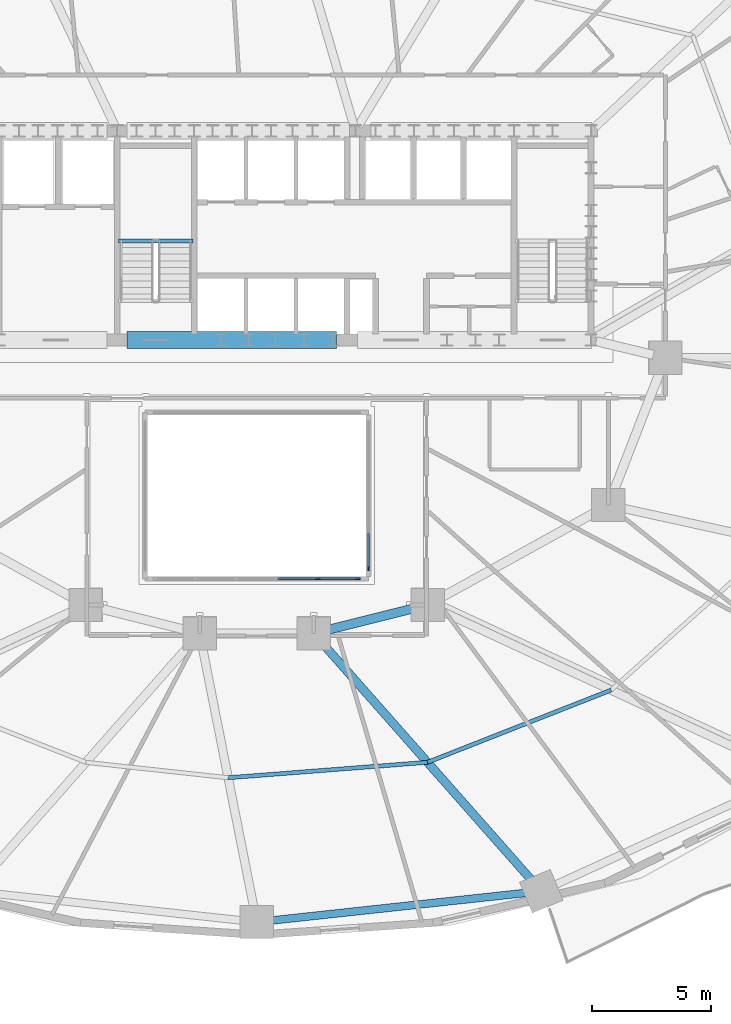
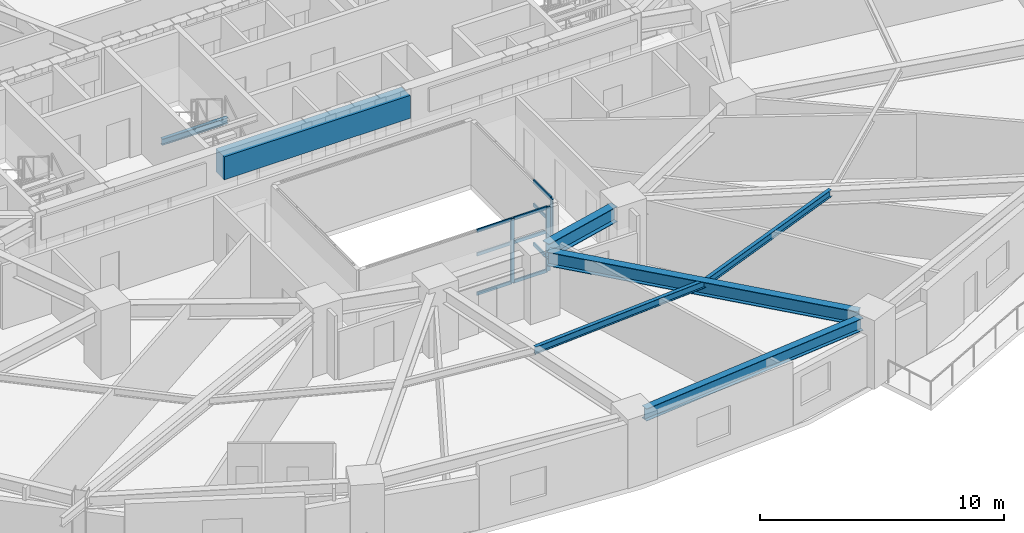
# One storey, part 5 of 17: 12 members, 7 beams, 2 elements without a shape of their own.
"""IFC4 building model written with IfcOpenShell, lengths in metres."""

import ifcopenshell
import ifcopenshell.guid

model = None  # the IFC model being written
_history = None  # IfcOwnerHistory: only IFC2X3 demands one
_inside = {}  # id of a spatial element -> (the spatial element, [elements in it])
_under = {}  # id of a project, library or spatial element -> (it, [spatial elements below it])
_declared = {}  # id of a project -> (the project, [libraries it declares])
_typed = {}  # id of a type object -> (the type object, [elements of that type])
_made_of = {}  # id of a material, layer set ... -> (it, [elements and type objects made of it])


def new_model(schema):
    """Start an empty IFC model of exactly this schema.

    Asked for "IFC4X3", IfcOpenShell would pick the latest addendum, in which some entities
    have other attributes; the version numbers below select the first issue.
    IFC2X3 requires an IfcOwnerHistory on every rooted entity: one is made here for all.
    """
    global model, _history
    if schema == "IFC4X3":
        model = ifcopenshell.file(schema_version=(4, 3, 0, 0))
    else:
        model = ifcopenshell.file(schema=schema)
    _inside.clear()
    _under.clear()
    _declared.clear()
    _typed.clear()
    _made_of.clear()
    _history = None
    if model.schema == "IFC2X3":
        org = make("IfcOrganization", Name="unknown")
        user = make(
            "IfcPersonAndOrganization",
            ThePerson=make("IfcPerson", FamilyName="unknown"),
            TheOrganization=org,
        )
        app = make(
            "IfcApplication",
            ApplicationDeveloper=org,
            Version="unknown",
            ApplicationFullName="unknown",
            ApplicationIdentifier="unknown",
        )
        _history = make(
            "IfcOwnerHistory",
            OwningUser=user,
            OwningApplication=app,
            ChangeAction="ADDED",
            CreationDate=0,
        )
    return model


def make(cls, **values):
    """One entity of the class cls with the attributes given. An attribute that is None is left unset."""
    return model.create_entity(
        cls, **{name: value for name, value in values.items() if value is not None}
    )


def rooted(cls, **values):
    """An entity with a GlobalId (a new one), such as an element, a storey or a relation."""
    return make(cls, GlobalId=ifcopenshell.guid.new(), OwnerHistory=_history, **values)


def si_unit(unit_type, name, prefix=None):
    """IfcSIUnit, for example si_unit("LENGTHUNIT", "METRE", prefix="MILLI")."""
    return make("IfcSIUnit", UnitType=unit_type, Prefix=prefix, Name=name)


def assignment(units):
    """IfcUnitAssignment: the units of a project."""
    return None if units is None else make("IfcUnitAssignment", Units=units)


def point(xyz):
    """IfcCartesianPoint."""
    return None if xyz is None else make("IfcCartesianPoint", Coordinates=xyz)


def direction(xyz):
    """IfcDirection."""
    return None if xyz is None else make("IfcDirection", DirectionRatios=xyz)


def frame(location, z_axis=None, x_axis=None):
    """IfcAxis2Placement3D, a coordinate frame: its origin and axes. An axis left out is left unset."""
    return make(
        "IfcAxis2Placement3D",
        Location=point(location),
        Axis=direction(z_axis),
        RefDirection=direction(x_axis),
    )


def frame_2d(location, x_axis=None):
    """IfcAxis2Placement2D, a coordinate frame in the plane: its origin and x axis."""
    return make(
        "IfcAxis2Placement2D", Location=point(location), RefDirection=direction(x_axis)
    )


def origin():
    """The frame at (0, 0, 0) with its axes left unset."""
    return frame((0.0, 0.0, 0.0))


def origin_2d():
    """The frame at (0, 0) in the plane with its x axis left unset."""
    return frame_2d((0.0, 0.0))


def place(relative_to, where):
    """IfcLocalPlacement: puts the frame where relative to a parent placement (None: the world)."""
    return make(
        "IfcLocalPlacement", PlacementRelTo=relative_to, RelativePlacement=where
    )


def context(
    kind, dimensions, precision=None, world=None, true_north=None, identifier=None
):
    """IfcGeometricRepresentationContext, for example the 3D "Model" context."""
    return make(
        "IfcGeometricRepresentationContext",
        ContextIdentifier=identifier,
        ContextType=kind,
        CoordinateSpaceDimension=dimensions,
        Precision=precision,
        WorldCoordinateSystem=world,
        TrueNorth=true_north,
    )


def subcontext(parent, identifier, kind, view, scale=None):
    """IfcGeometricRepresentationSubContext, for example "Body" below "Model"."""
    return make(
        "IfcGeometricRepresentationSubContext",
        ContextIdentifier=identifier,
        ContextType=kind,
        ParentContext=parent,
        TargetScale=scale,
        TargetView=view,
    )


def project(units=None, contexts=None):
    """IfcProject with its units and contexts."""
    return rooted(
        "IfcProject",
        Name="project",
        RepresentationContexts=contexts,
        UnitsInContext=assignment(units),
    )


def spatial(cls, under=None, at=None, **own):
    """A site, building, storey or space (cls), placed at a placement, below another one or the project."""
    s = rooted(cls, ObjectPlacement=at, **own)
    if under is not None:
        _under.setdefault(under.id(), (under, []))[1].append(s)
    return s


def profile(cls, at=None, kind="AREA", **sizes):
    """A parametric profile (cls). Its sizes go by their IFC names, for example OverallWidth=200.0."""
    return make(cls, ProfileType=kind, Position=at, **sizes)


def rectangle(**sizes):
    """IfcRectangleProfileDef."""
    return profile("IfcRectangleProfileDef", **sizes)


def i_section(**sizes):
    """IfcIShapeProfileDef."""
    return profile("IfcIShapeProfileDef", **sizes)


def extrude(swept, where, along, depth):
    """IfcExtrudedAreaSolid: the profile swept, set in the frame where, extruded along a direction by depth."""
    return make(
        "IfcExtrudedAreaSolid",
        SweptArea=swept,
        Position=where,
        ExtrudedDirection=direction(along),
        Depth=depth,
    )


def shape(context_of_items, identifier, shape_type, items):
    """IfcShapeRepresentation: the items that make up one representation, for example the "Body"."""
    return make(
        "IfcShapeRepresentation",
        ContextOfItems=context_of_items,
        RepresentationIdentifier=identifier,
        RepresentationType=shape_type,
        Items=items,
    )


def material(Name=None, Category=None):
    """IfcMaterial."""
    return make("IfcMaterial", Name=Name, Category=Category)


def material_profile(
    of_material, cross_section, Name=None, Category=None, Priority=None
):
    """IfcMaterialProfile: a cross section and its material."""
    return make(
        "IfcMaterialProfile",
        Name=Name,
        Material=of_material,
        Profile=cross_section,
        Priority=Priority,
        Category=Category,
    )


def profile_set(profiles, Name=None, composite=None):
    """IfcMaterialProfileSet."""
    return make(
        "IfcMaterialProfileSet",
        Name=Name,
        MaterialProfiles=profiles,
        CompositeProfile=composite,
    )


def made_of(thing, what):
    """Note that an element or type object is made of a material, layer set ...; save() writes the relation."""
    if what is not None:
        _made_of.setdefault(what.id(), (what, []))[1].append(thing)
    return thing


def type_object(cls, material=None, **own):
    """A type object (cls), such as IfcWallType, which elements share."""
    return made_of(rooted(cls, **own), material)


def element(
    cls,
    number,
    at=None,
    inside=None,
    cuts=None,
    type_object=None,
    material=None,
    context=None,
    identifier="Body",
    shape_type=None,
    held_by="IfcProductDefinitionShape",
    body=None,
    shapes=None,
    **own,
):
    """One element of the class cls, such as IfcWall. Its Tag is "e" and its number.

    at: its placement. inside: the storey or other place that contains it. cuts: it is an
    opening in that element (IfcRelVoidsElement). A single representation is given by context,
    identifier, shape_type and body (its items); several are given by shapes. held_by: the class
    of the entity that holds the representations. save() writes the other relations.
    """
    e = rooted(cls, Tag="e%d" % number, ObjectPlacement=at, **own)
    if body is not None:
        shapes = [shape(context, identifier, shape_type, body)]
    if shapes is not None:
        e.Representation = make(held_by, Representations=shapes)
    if inside is not None:
        _inside.setdefault(inside.id(), (inside, []))[1].append(e)
    if cuts is not None:
        rooted(
            "IfcRelVoidsElement", RelatingBuildingElement=cuts, RelatedOpeningElement=e
        )
    if type_object is not None:
        _typed.setdefault(type_object.id(), (type_object, []))[1].append(e)
    return made_of(e, material)


def aggregate(whole, parts):
    """IfcRelAggregates: a whole, such as a stair, and the parts it consists of."""
    return rooted("IfcRelAggregates", RelatingObject=whole, RelatedObjects=parts)


def save(model, path):
    """Write the relations noted so far, then the file.

    IfcRelAggregates (storeys below a building ...), IfcRelContainedInSpatialStructure (elements
    in a storey), IfcRelDefinesByType, IfcRelAssociatesMaterial and IfcRelDeclares: one each for
    every whole, place, type object, material and project.
    """
    for whole, parts in _under.values():
        aggregate(whole, parts)
    for where, things in _inside.values():
        rooted(
            "IfcRelContainedInSpatialStructure",
            RelatedElements=things,
            RelatingStructure=where,
        )
    for kind, things in _typed.values():
        rooted("IfcRelDefinesByType", RelatedObjects=things, RelatingType=kind)
    for what, things in _made_of.values():
        rooted("IfcRelAssociatesMaterial", RelatedObjects=things, RelatingMaterial=what)
    for by, libraries in _declared.values():
        rooted("IfcRelDeclares", RelatingContext=by, RelatedDefinitions=libraries)
    model.write(path)


model = new_model("IFC4")

# Units and contexts
model_context = context("Model", 3, precision=1e-05, world=origin(), true_north=direction((0.0, 1.0)))
body_context = subcontext(model_context, "Body", "Model", "MODEL_VIEW")
ifc_project = project(units=[si_unit("LENGTHUNIT", "METRE"), si_unit("AREAUNIT", "SQUARE_METRE"), si_unit("VOLUMEUNIT", "CUBIC_METRE"), si_unit("PLANEANGLEUNIT", "RADIAN"), si_unit("MASSUNIT", "GRAM", prefix="KILO")], contexts=[model_context])

# Site, building, storey
site_placement = place(None, origin())
site = spatial("IfcSite", under=ifc_project, at=site_placement, CompositionType="ELEMENT")
building_placement = place(site_placement, origin())
building = spatial("IfcBuilding", under=site, at=building_placement, Name="Haldorwick Loom Tower", CompositionType="ELEMENT")
storey_placement = place(building_placement, frame((0.0, 0.0, 61.949951171875)))
storey = spatial("IfcBuildingStorey", under=building, at=storey_placement, Name="L16", CompositionType="ELEMENT", Elevation=61.949951171875)

# Curtain wall, members
ifc_material_1 = material(Name="Thermally Broken Anodized Aluminium Curtain Wall Framing", Category="aluminium")
curtain_wall_type = type_object("IfcCurtainWallType", Name="ARC-CW-03", PredefinedType="NOTDEFINED", material=ifc_material_1)
curtain_wall_1_placement = place(storey_placement, origin())
curtain_wall_1 = element("IfcCurtainWall", 1, at=curtain_wall_1_placement, inside=storey, type_object=curtain_wall_type, Name="L16 Atrium Glazed Screen S", PredefinedType="NOTDEFINED")
ifc_material_profile_1 = material_profile(ifc_material_1, rectangle(XDim=0.06591796875, YDim=0.18505859375, at=origin_2d()), Name="ALU_MUL_66X185", Category="aluminium")
ifc_profile_set_1 = profile_set([ifc_material_profile_1], Name="Thermally Broken Anodized Aluminium Curtain Wall Framing")
member_type_1 = type_object("IfcMemberType", Name="ARC-CWM-03", PredefinedType="MULLION", material=ifc_profile_set_1)
member_1_placement = place(storey_placement, frame((40.26708984375, 16.699951171875, 0.0), z_axis=(0.0, 0.0, 1.0), x_axis=(0.0, -1.0, 0.0)))
member_1 = element("IfcMember", 2, at=member_1_placement, type_object=member_type_1, Name="CW-03 mullion 1", PredefinedType="MULLION", context=body_context, shape_type="SweptSolid", body=[
    extrude(rectangle(XDim=0.06591796875, YDim=0.18505859375, at=origin_2d()), origin(), (0.0, 0.0, 1.0), 3.2099609375),
])
member_2_placement = place(storey_placement, frame((38.580078125, 16.699951171875, 0.0), z_axis=(0.0, 0.0, 1.0), x_axis=(0.0, -1.0, 0.0)))
member_2 = element("IfcMember", 3, at=member_2_placement, type_object=member_type_1, Name="CW-03 mullion 2", PredefinedType="MULLION", context=body_context, shape_type="SweptSolid", body=[
    extrude(rectangle(XDim=0.06591796875, YDim=0.18505859375, at=origin_2d()), origin(), (0.0, 0.0, 1.0), 3.2099609375),
])

# Curtain wall, member
curtain_wall_2_placement = place(storey_placement, origin())
curtain_wall_2 = element("IfcCurtainWall", 4, at=curtain_wall_2_placement, inside=storey, type_object=curtain_wall_type, Name="L16 Atrium Glazed Screen E", PredefinedType="NOTDEFINED")
member_3_placement = place(storey_placement, frame((40.699951171875, 17.133056640625, 0.0), z_axis=(0.0, 0.0, 1.0), x_axis=(1.0, 0.0, 0.0)))
member_3 = element("IfcMember", 5, at=member_3_placement, type_object=member_type_1, Name="CW-03 mullion 5", PredefinedType="MULLION", context=body_context, shape_type="SweptSolid", body=[
    extrude(rectangle(XDim=0.06591796875, YDim=0.18505859375, at=origin_2d()), origin(), (0.0, 0.0, 1.0), 3.2099609375),
])

# Member
ifc_material_profile_2 = material_profile(ifc_material_1, rectangle(XDim=0.06591796875, YDim=0.1650390625, at=origin_2d()), Name="ALU_TRN_66X165", Category="aluminium")
ifc_profile_set_2 = profile_set([ifc_material_profile_2], Name="Thermally Broken Anodized Aluminium Curtain Wall Framing")
member_type_2 = type_object("IfcMemberType", Name="ARC-CWT-03", PredefinedType="USERDEFINED", material=ifc_profile_set_2)
member_4_placement = place(storey_placement, frame((40.23388671875, 16.699951171875, 0.032958984375), z_axis=(-1.0, 0.0, 0.0), x_axis=(0.0, -1.0, 0.0)))
member_4 = element("IfcMember", 6, at=member_4_placement, type_object=member_type_2, Name="CW-03 transom 1.1", ObjectType="TRANSOM", PredefinedType="USERDEFINED", context=body_context, shape_type="SweptSolid", body=[
    extrude(rectangle(XDim=0.06591796875, YDim=0.1650390625, at=origin_2d()), origin(), (0.0, 0.0, 1.0), 1.620849609375),
])

member_5_placement = place(storey_placement, frame((40.23388671875, 16.699951171875, 2.0), z_axis=(-1.0, 0.0, 0.0), x_axis=(0.0, -1.0, 0.0)))
member_5 = element("IfcMember", 7, at=member_5_placement, type_object=member_type_2, Name="CW-03 transom 1.2", ObjectType="TRANSOM", PredefinedType="USERDEFINED", context=body_context, shape_type="SweptSolid", body=[
    extrude(rectangle(XDim=0.06591796875, YDim=0.1650390625, at=origin_2d()), origin(), (0.0, 0.0, 1.0), 1.620849609375),
])

member_6_placement = place(storey_placement, frame((40.23388671875, 16.699951171875, 3.177001953125), z_axis=(-1.0, 0.0, 0.0), x_axis=(0.0, -1.0, 0.0)))
member_6 = element("IfcMember", 8, at=member_6_placement, type_object=member_type_2, Name="CW-03 transom 1.3", ObjectType="TRANSOM", PredefinedType="USERDEFINED", context=body_context, shape_type="SweptSolid", body=[
    extrude(rectangle(XDim=0.06591796875, YDim=0.1650390625, at=origin_2d()), origin(), (0.0, 0.0, 1.0), 1.620849609375),
])

member_7_placement = place(storey_placement, frame((38.547119140625, 16.699951171875, 0.032958984375), z_axis=(-1.0, 0.0, 0.0), x_axis=(0.0, -1.0, 0.0)))
member_7 = element("IfcMember", 9, at=member_7_placement, type_object=member_type_2, Name="CW-03 transom 2.1", ObjectType="TRANSOM", PredefinedType="USERDEFINED", context=body_context, shape_type="SweptSolid", body=[
    extrude(rectangle(XDim=0.06591796875, YDim=0.1650390625, at=origin_2d()), origin(), (0.0, 0.0, 1.0), 1.654052734375),
])

member_8_placement = place(storey_placement, frame((38.547119140625, 16.699951171875, 2.0), z_axis=(-1.0, 0.0, 0.0), x_axis=(0.0, -1.0, 0.0)))
member_8 = element("IfcMember", 10, at=member_8_placement, type_object=member_type_2, Name="CW-03 transom 2.2", ObjectType="TRANSOM", PredefinedType="USERDEFINED", context=body_context, shape_type="SweptSolid", body=[
    extrude(rectangle(XDim=0.06591796875, YDim=0.1650390625, at=origin_2d()), origin(), (0.0, 0.0, 1.0), 1.654052734375),
])

member_9_placement = place(storey_placement, frame((38.547119140625, 16.699951171875, 3.177001953125), z_axis=(-1.0, 0.0, 0.0), x_axis=(0.0, -1.0, 0.0)))
member_9 = element("IfcMember", 11, at=member_9_placement, type_object=member_type_2, Name="CW-03 transom 2.3", ObjectType="TRANSOM", PredefinedType="USERDEFINED", context=body_context, shape_type="SweptSolid", body=[
    extrude(rectangle(XDim=0.06591796875, YDim=0.1650390625, at=origin_2d()), origin(), (0.0, 0.0, 1.0), 1.654052734375),
])

aggregate(curtain_wall_1, [member_1, member_2, member_4, member_5, member_6, member_7, member_8, member_9])

member_10_placement = place(storey_placement, frame((40.699951171875, 18.616943359375, 0.032958984375), z_axis=(0.0, -1.0, 0.0), x_axis=(1.0, 0.0, 0.0)))
member_10 = element("IfcMember", 12, at=member_10_placement, type_object=member_type_2, Name="CW-03 transom 4.1", ObjectType="TRANSOM", PredefinedType="USERDEFINED", context=body_context, shape_type="SweptSolid", body=[
    extrude(rectangle(XDim=0.06591796875, YDim=0.1650390625, at=origin_2d()), origin(), (0.0, 0.0, 1.0), 1.450927734375),
])

member_11_placement = place(storey_placement, frame((40.699951171875, 18.616943359375, 2.0), z_axis=(0.0, -1.0, 0.0), x_axis=(1.0, 0.0, 0.0)))
member_11 = element("IfcMember", 13, at=member_11_placement, type_object=member_type_2, Name="CW-03 transom 4.2", ObjectType="TRANSOM", PredefinedType="USERDEFINED", context=body_context, shape_type="SweptSolid", body=[
    extrude(rectangle(XDim=0.06591796875, YDim=0.1650390625, at=origin_2d()), origin(), (0.0, 0.0, 1.0), 1.450927734375),
])

member_12_placement = place(storey_placement, frame((40.699951171875, 18.616943359375, 3.177001953125), z_axis=(0.0, -1.0, 0.0), x_axis=(1.0, 0.0, 0.0)))
member_12 = element("IfcMember", 14, at=member_12_placement, type_object=member_type_2, Name="CW-03 transom 4.3", ObjectType="TRANSOM", PredefinedType="USERDEFINED", context=body_context, shape_type="SweptSolid", body=[
    extrude(rectangle(XDim=0.06591796875, YDim=0.1650390625, at=origin_2d()), origin(), (0.0, 0.0, 1.0), 1.450927734375),
])

aggregate(curtain_wall_2, [member_3, member_10, member_11, member_12])

# Beams
ifc_material_2 = material(Name="Concrete C60 (60 MPa)", Category="concrete")
ifc_material_profile_3 = material_profile(ifc_material_2, rectangle(XDim=0.699951171875, YDim=1.14990234375, at=origin_2d()), Name="RC700X1150", Category="concrete")
ifc_profile_set_3 = profile_set([ifc_material_profile_3], Name="Concrete C60 (60 MPa)")
beam_type_1 = type_object("IfcBeamType", Name="STR-BM-CB1150", PredefinedType="LINTEL", material=ifc_profile_set_3)
beam_1_placement = place(storey_placement, frame((30.550048828125, 26.75, 2.635009765625), z_axis=(1.0, 0.0, 0.0), x_axis=(0.0, 1.0, 0.0)))
element("IfcBeam", 15, at=beam_1_placement, inside=storey, type_object=beam_type_1, Name="L16 Core Coupling Beam CB-S2", PredefinedType="LINTEL", context=body_context, shape_type="SweptSolid", body=[
    extrude(rectangle(XDim=0.699951171875, YDim=1.14990234375, at=origin_2d()), origin(), (0.0, 0.0, 1.0), 8.800048828125),
])
ifc_material_3 = material(Name="Steel CSA G40.21 350W", Category="steel")
ifc_material_profile_4 = material_profile(ifc_material_3, i_section(OverallWidth=0.172119140625, OverallDepth=0.35791015625, WebThickness=0.0078125, FlangeThickness=0.01318359375, at=origin_2d()), Name="W360X57", Category="steel")
ifc_profile_set_4 = profile_set([ifc_material_profile_4], Name="Steel CSA G40.21 350W")
beam_type_2 = type_object("IfcBeamType", Name="STR-BM-J360", PredefinedType="JOIST", material=ifc_profile_set_4)
beam_2_placement = place(storey_placement, frame((34.800048828125, 8.324951171875, 3.031005859375), z_axis=(0.99701252039, 0.077240107368, 0.0), x_axis=(-0.077240107368, 0.99701252039, 0.0)))
element("IfcBeam", 16, at=beam_2_placement, inside=storey, type_object=beam_type_2, Name="L16 Mid-Bay Secondary Joist 13", PredefinedType="JOIST", context=body_context, shape_type="SweptSolid", body=[
    extrude(i_section(OverallWidth=0.172119140625, OverallDepth=0.35791015625, WebThickness=0.0078125, FlangeThickness=0.01318359375, at=origin_2d()), origin(), (0.0, 0.0, 1.0), 8.4140625),
])
beam_3_placement = place(storey_placement, frame((43.18896484375, 8.974853515625, 3.031005859375), z_axis=(0.930584838237, 0.366076301941, 0.0), x_axis=(-0.366076301941, 0.930584838237, 0.0)))
element("IfcBeam", 17, at=beam_3_placement, inside=storey, type_object=beam_type_2, Name="L16 Mid-Bay Secondary Joist 14", PredefinedType="JOIST", context=body_context, shape_type="SweptSolid", body=[
    extrude(i_section(OverallWidth=0.172119140625, OverallDepth=0.35791015625, WebThickness=0.0078125, FlangeThickness=0.01318359375, at=origin_2d()), origin(), (0.0, 0.0, 1.0), 8.302490234375),
])
ifc_material_profile_5 = material_profile(ifc_material_3, i_section(OverallWidth=0.324951171875, OverallDepth=0.615966796875, WebThickness=0.013916015625, FlangeThickness=0.021484375, at=origin_2d()), Name="W610X174", Category="steel")
ifc_profile_set_5 = profile_set([ifc_material_profile_5], Name="Steel CSA G40.21 350W")
beam_type_3 = type_object("IfcBeamType", Name="STR-BM-SP610", PredefinedType="SPANDREL", material=ifc_profile_set_5)
beam_4_placement = place(storey_placement, frame((36.51708984375, 2.30615234375, 2.902099609375), z_axis=(0.994164438636, 0.107875247167, 0.0), x_axis=(-0.107875247167, 0.994164438636, 0.0)))
element("IfcBeam", 18, at=beam_4_placement, inside=storey, type_object=beam_type_3, Name="L16 Perimeter Spandrel 13", PredefinedType="SPANDREL", context=body_context, shape_type="SweptSolid", body=[
    extrude(i_section(OverallWidth=0.324951171875, OverallDepth=0.615966796875, WebThickness=0.013916015625, FlangeThickness=0.021484375, at=origin_2d()), origin(), (0.0, 0.0, 1.0), 11.008056640625),
])
ifc_material_profile_6 = material_profile(ifc_material_3, i_section(OverallWidth=0.166015625, OverallDepth=0.31298828125, WebThickness=0.006591796875, FlangeThickness=0.01123046875, at=origin_2d()), Name="W310X45", Category="steel")
ifc_profile_set_6 = profile_set([ifc_material_profile_6], Name="Steel CSA G40.21 350W")
beam_type_4 = type_object("IfcBeamType", Name="STR-BM-STRM", PredefinedType="BEAM", material=ifc_profile_set_6)
beam_5_placement = place(storey_placement, frame((30.18994140625, 30.919921875, 1.36865234375), z_axis=(1.0, 0.0, 0.0), x_axis=(0.0, 1.0, 0.0)))
element("IfcBeam", 19, at=beam_5_placement, inside=storey, type_object=beam_type_4, Name="L16 Stair ST-03 Half-Landing Trimmer 1", PredefinedType="BEAM", context=body_context, shape_type="SweptSolid", body=[
    extrude(i_section(OverallWidth=0.166015625, OverallDepth=0.31298828125, WebThickness=0.006591796875, FlangeThickness=0.01123046875, at=origin_2d()), origin(), (0.0, 0.0, 1.0), 3.1201171875),
])
ifc_material_profile_7 = material_profile(ifc_material_3, i_section(OverallWidth=0.35498046875, OverallDepth=0.695068359375, WebThickness=0.015380859375, FlangeThickness=0.02490234375, at=origin_2d()), Name="W690X217", Category="steel")
ifc_profile_set_7 = profile_set([ifc_material_profile_7], Name="Steel CSA G40.21 350W")
beam_type_5 = type_object("IfcBeamType", Name="STR-BM-W690", PredefinedType="BEAM", material=ifc_profile_set_7)
beam_6_placement = place(storey_placement, frame((38.744140625, 14.01025390625, 2.862548828125), z_axis=(0.661774304332, -0.749703121326, 0.0), x_axis=(0.749703121326, 0.661774304332, 0.0)))
element("IfcBeam", 20, at=beam_6_placement, inside=storey, type_object=beam_type_5, Name="L16 Radial Floor Girder 14", PredefinedType="BEAM", context=body_context, shape_type="SweptSolid", body=[
    extrude(i_section(OverallWidth=0.35498046875, OverallDepth=0.695068359375, WebThickness=0.015380859375, FlangeThickness=0.02490234375, at=origin_2d()), origin(), (0.0, 0.0, 1.0), 13.43310546875),
])
ifc_material_profile_8 = material_profile(ifc_material_3, i_section(OverallWidth=0.381103515625, OverallDepth=0.77294921875, WebThickness=0.0166015625, FlangeThickness=0.027587890625, at=origin_2d()), Name="W760X257", Category="steel")
ifc_profile_set_8 = profile_set([ifc_material_profile_8], Name="Steel CSA G40.21 350W")
beam_type_6 = type_object("IfcBeamType", Name="STR-BM-W760", PredefinedType="BEAM", material=ifc_profile_set_8)
beam_7_placement = place(storey_placement, frame((42.695556640625, 15.473876953125, 2.823486328125), z_axis=(-0.970142500145, -0.242535625036, 0.0), x_axis=(0.242535625036, -0.970142500145, 0.0)))
element("IfcBeam", 21, at=beam_7_placement, inside=storey, type_object=beam_type_6, Name="L16 Inner Ring Girder 4", PredefinedType="BEAM", context=body_context, shape_type="SweptSolid", body=[
    extrude(i_section(OverallWidth=0.381103515625, OverallDepth=0.77294921875, WebThickness=0.0166015625, FlangeThickness=0.027587890625, at=origin_2d()), origin(), (0.0, 0.0, 1.0), 3.90771484375),
])

save(model, "model.ifc")
